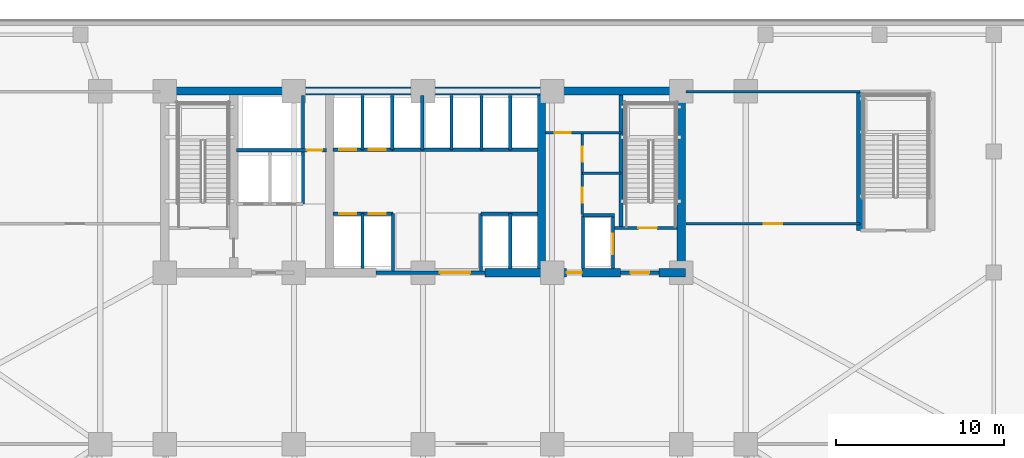
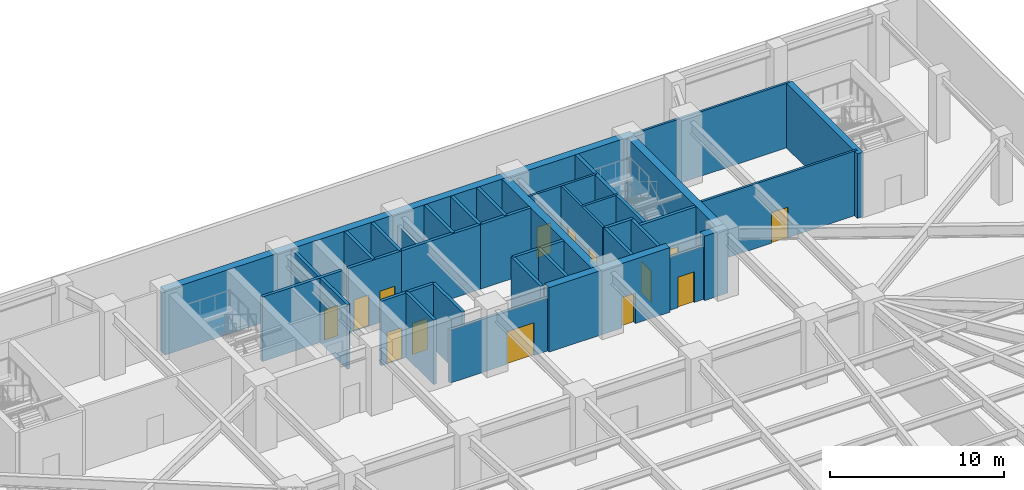
# One storey, part 13 of 19: 35 walls, 14 doors, 14 openings.
"""IFC4 building model written with IfcOpenShell, lengths in metres."""

from ifc_helpers import new_model, si_unit, direction, frame, frame_2d, origin, place, context, subcontext, project, spatial, rectangle, extrude, material, layer, layer_set, type_object, element, fill, save


model = new_model("IFC4")

# Units and contexts
model_context = context("Model", 3, precision=1e-05, world=origin(), true_north=direction((0.0, 1.0)))
body_context = subcontext(model_context, "Body", "Model", "MODEL_VIEW")
ifc_project = project(units=[si_unit("LENGTHUNIT", "METRE"), si_unit("AREAUNIT", "SQUARE_METRE"), si_unit("VOLUMEUNIT", "CUBIC_METRE"), si_unit("PLANEANGLEUNIT", "RADIAN"), si_unit("MASSUNIT", "GRAM", prefix="KILO")], contexts=[model_context])

# Site, building, storey
site_placement = place(None, origin())
site = spatial("IfcSite", under=ifc_project, at=site_placement, CompositionType="ELEMENT")
building_placement = place(site_placement, origin())
building = spatial("IfcBuilding", under=site, at=building_placement, Name="Yelkora Congress Tower", CompositionType="ELEMENT")
storey_placement = place(building_placement, frame((0.0, 0.0, 15.60009765625)))
storey = spatial("IfcBuildingStorey", under=building, at=storey_placement, Name="L03", CompositionType="ELEMENT", Elevation=15.60009765625)

# Walls
ifc_material_1 = material(Name="Concrete C50/60", Category="concrete")
ifc_layer_1 = layer(ifc_material_1, 0.219970703125)
ifc_layer_set_1 = layer_set([ifc_layer_1], Name="Concrete C50/60")
wall_type_1 = type_object("IfcWallType", Name="WALL-CORE-INT-220", PredefinedType="SHEAR", material=ifc_layer_set_1)
wall_1_placement = place(storey_placement, frame((50.179931640625, 38.050048828125, 0.0), z_axis=(0.0, 0.0, 1.0), x_axis=(0.0, 1.0, 0.0)))
element("IfcWall", 1, at=wall_1_placement, inside=storey, type_object=wall_type_1, Name="L03 ST02 West Stair Shear Wall", PredefinedType="SHEAR", context=body_context, shape_type="SweptSolid", body=[
    extrude(rectangle(XDim=7.89990234375, YDim=0.219970703125, at=frame_2d((3.949951171875, 0.0))), origin(), (0.0, 0.0, 1.0), 4.539794921875),
])
ifc_layer_2 = layer(ifc_material_1, 0.39990234375)
ifc_layer_set_2 = layer_set([ifc_layer_2], Name="Concrete C50/60")
wall_type_2 = type_object("IfcWallType", Name="WALL-CORE-INT-400", PredefinedType="SHEAR", material=ifc_layer_set_2)
wall_2_placement = place(storey_placement, frame((64.39990234375, 37.89990234375, 0.0), z_axis=(0.0, 0.0, 1.0), x_axis=(0.0, 1.0, 0.0)))
element("IfcWall", 2, at=wall_2_placement, inside=storey, type_object=wall_type_2, Name="L03 STP2 West Shear Wall", PredefinedType="SHEAR", context=body_context, shape_type="SweptSolid", body=[
    extrude(rectangle(XDim=8.25, YDim=0.39990234375, at=frame_2d((4.125, 0.0))), origin(), (0.0, 0.0, 1.0), 4.539794921875),
])
ifc_material_2 = material(Name="Concrete C60/75", Category="concrete")
ifc_layer_3 = layer(ifc_material_2, 0.5)
ifc_layer_set_3 = layer_set([ifc_layer_3], Name="Concrete C60/75")
wall_type_3 = type_object("IfcWallType", Name="WALL-CORE-INT-500", PredefinedType="SHEAR", material=ifc_layer_set_3)
wall_3_placement = place(storey_placement, frame((22.7900390625, 46.199951171875, 0.0), z_axis=(0.0, 0.0, 1.0), x_axis=(1.0, 0.0, 0.0)))
element("IfcWall", 3, at=wall_3_placement, inside=storey, type_object=wall_type_3, Name="L03 Rear Core North Shear Wall", PredefinedType="SHEAR", context=body_context, shape_type="SweptSolid", body=[
    extrude(rectangle(XDim=31.219970703125, YDim=0.5, at=frame_2d((15.60986328125, 0.0))), origin(), (0.0, 0.0, 1.0), 4.539794921875),
])

# Wall, opening, door
wall_4_placement = place(storey_placement, frame((42.10009765625, 35.39990234375, 0.0), z_axis=(0.0, 0.0, 1.0), x_axis=(1.0, 0.0, 0.0)))
wall_4 = element("IfcWall", 4, at=wall_4_placement, inside=storey, type_object=wall_type_3, Name="L03 Rear Core South-East Shear Wall A", PredefinedType="SHEAR", context=body_context, shape_type="SweptSolid", body=[
    extrude(rectangle(XDim=8.0498046875, YDim=0.5, at=frame_2d((4.02490234375, 0.0))), origin(), (0.0, 0.0, 1.0), 4.539794921875),
])
opening_1_placement = place(wall_4_placement, frame((4.85009765625, 0.0, 0.0)))
opening_1 = element("IfcOpeningElement", 5, at=opening_1_placement, cuts=wall_4, Name="Opening DR-090F6", PredefinedType="OPENING", context=body_context, shape_type="SweptSolid", body=[
    extrude(rectangle(XDim=0.89990234375, YDim=2.14990234375, at=frame_2d((0.449951171875, 1.074951171875))), frame((0.0, 0.260009765625, 0.0), z_axis=(0.0, -1.0, 0.0), x_axis=(1.0, 0.0, 0.0)), (0.0, 0.0, 1.0), 0.52001953125),
])
ifc_material_3 = material(Name="Painted steel riser fire door leaf", Category="steel")
door_type_1 = type_object("IfcDoorType", Name="DOOR-FD60-900", OperationType="NOTDEFINED", PredefinedType="DOOR", material=ifc_material_3)
door_1_placement = place(opening_1_placement, origin())
door_1 = element("IfcDoor", 6, at=door_1_placement, inside=storey, type_object=door_type_1, Name="L03 Core Washroom Lobby Door", OperationType="SINGLE_SWING_RIGHT", OverallHeight=2.14990234375, OverallWidth=0.89990234375, PredefinedType="DOOR", context=body_context, shape_type="SweptSolid", body=[
    extrude(rectangle(XDim=0.89990234375, YDim=2.14990234375, at=frame_2d((0.449951171875, 1.074951171875))), frame((0.0, 0.02490234375, 0.0), z_axis=(0.0, -1.0, 0.0), x_axis=(1.0, 0.0, 0.0)), (0.0, 0.0, 1.0), 0.050048828125),
])
fill(opening_1, door_1)

# Walls
wall_5_placement = place(storey_placement, frame((52.449951171875, 35.39990234375, 0.0), z_axis=(0.0, 0.0, 1.0), x_axis=(1.0, 0.0, 0.0)))
element("IfcWall", 7, at=wall_5_placement, inside=storey, type_object=wall_type_3, Name="L03 Rear Core South-East Shear Wall B", PredefinedType="SHEAR", context=body_context, shape_type="SweptSolid", body=[
    extrude(rectangle(XDim=1.56005859375, YDim=0.5, at=frame_2d((0.780029296875, 0.0))), origin(), (0.0, 0.0, 1.0), 4.539794921875),
])
for number, where, z_axis, x_axis, name in (
    (8, (45.449951171875, 35.64990234375, 0.0), (0.0, 0.0, 1.0), (0.0, 1.0, 0.0), "L03 Rear Core Cross Shear Wall C3"),
    (9, (53.760009765625, 35.64990234375, 0.0), (0.0, 0.0, 1.0), (0.0, 1.0, 0.0), "L03 Rear Core Cross Shear Wall E"),
):
    element("IfcWall", number, at=place(storey_placement, frame(where, z_axis=z_axis, x_axis=x_axis)), inside=storey, type_object=wall_type_3, Name=name, PredefinedType="SHEAR", context=body_context, shape_type="SweptSolid", body=[
        extrude(rectangle(XDim=10.300048828125, YDim=0.5, at=frame_2d((5.14990234375, 0.0))), origin(), (0.0, 0.0, 1.0), 4.539794921875),
    ])

# Wall, opening, door
ifc_material_4 = material(Name="Acoustic metal-stud gypsum partition", Category="gypsum")
ifc_layer_4 = layer(ifc_material_4, 0.14990234375)
ifc_layer_set_4 = layer_set([ifc_layer_4], Name="Acoustic metal-stud gypsum partition")
wall_type_4 = type_object("IfcWallType", Name="WALL-INT-150-NR", PredefinedType="PARTITIONING", material=ifc_layer_set_4)
wall_6_placement = place(storey_placement, frame((45.679931640625, 43.719970703125, 0.0), z_axis=(0.0, 0.0, 1.0), x_axis=(1.0, 0.0, 0.0)))
wall_6 = element("IfcWall", 10, at=wall_6_placement, inside=storey, type_object=wall_type_4, Name="L03 Partition Wall 28", PredefinedType="PARTITIONING", context=body_context, shape_type="SweptSolid", body=[
    extrude(rectangle(XDim=4.5, YDim=0.14990234375, at=frame_2d((2.25, 0.0))), origin(), (0.0, 0.0, 1.0), 4.539794921875),
])
opening_2_placement = place(wall_6_placement, frame((0.550048828125, 0.0, 0.0)))
opening_2 = element("IfcOpeningElement", 11, at=opening_2_placement, cuts=wall_6, Name="Opening DR-095N", PredefinedType="OPENING", context=body_context, shape_type="SweptSolid", body=[
    extrude(rectangle(XDim=0.949951171875, YDim=2.14990234375, at=frame_2d((0.47509765625, 1.074951171875))), frame((0.0, 0.0849609375, 0.0), z_axis=(0.0, -1.0, 0.0), x_axis=(1.0, 0.0, 0.0)), (0.0, 0.0, 1.0), 0.169921875),
])
ifc_material_5 = material(Name="Acoustic laminated timber office door", Category="wood")
door_type_2 = type_object("IfcDoorType", Name="DOOR-INT-950", OperationType="NOTDEFINED", PredefinedType="DOOR", material=ifc_material_5)
door_2_placement = place(opening_2_placement, origin())
door_2 = element("IfcDoor", 12, at=door_2_placement, inside=storey, type_object=door_type_2, Name="L03 Accessible WC Door", OperationType="SINGLE_SWING_RIGHT", OverallHeight=2.14990234375, OverallWidth=0.949951171875, PredefinedType="DOOR", context=body_context, shape_type="SweptSolid", body=[
    extrude(rectangle(XDim=0.949951171875, YDim=2.14990234375, at=frame_2d((0.47509765625, 1.074951171875))), frame((0.0, 0.02490234375, 0.0), z_axis=(0.0, -1.0, 0.0), x_axis=(1.0, 0.0, 0.0)), (0.0, 0.0, 1.0), 0.050048828125),
])
fill(opening_2, door_2)

# Wall
wall_7_placement = place(storey_placement, frame((47.8798828125, 41.320068359375, 0.0), z_axis=(0.0, 0.0, 1.0), x_axis=(1.0, 0.0, 0.0)))
element("IfcWall", 13, at=wall_7_placement, inside=storey, type_object=wall_type_4, Name="L03 Partition Wall 29", PredefinedType="PARTITIONING", context=body_context, shape_type="SweptSolid", body=[
    extrude(rectangle(XDim=2.300048828125, YDim=0.14990234375, at=frame_2d((1.14990234375, 0.0))), origin(), (0.0, 0.0, 1.0), 4.539794921875),
])

# Wall, openings, doors
wall_8_placement = place(storey_placement, frame((47.8798828125, 38.85009765625, 0.0), z_axis=(0.0, 0.0, 1.0), x_axis=(0.0, 1.0, 0.0)))
wall_8 = element("IfcWall", 14, at=wall_8_placement, inside=storey, type_object=wall_type_4, Name="L03 Partition Wall 30", PredefinedType="PARTITIONING", context=body_context, shape_type="SweptSolid", body=[
    extrude(rectangle(XDim=4.869873046875, YDim=0.14990234375, at=frame_2d((2.43505859375, 0.0))), origin(), (0.0, 0.0, 1.0), 4.539794921875),
])
opening_3_placement = place(wall_8_placement, frame((0.699951171875, 0.0, 0.0)))
opening_3 = element("IfcOpeningElement", 15, at=opening_3_placement, cuts=wall_8, Name="Opening DR-090N", PredefinedType="OPENING", context=body_context, shape_type="SweptSolid", body=[
    extrude(rectangle(XDim=0.89990234375, YDim=2.14990234375, at=frame_2d((0.449951171875, 1.074951171875))), frame((0.0, 0.0849609375, 0.0), z_axis=(0.0, -1.0, 0.0), x_axis=(1.0, 0.0, 0.0)), (0.0, 0.0, 1.0), 0.169921875),
])
opening_4_placement = place(wall_8_placement, frame((3.14990234375, 0.0, 0.0)))
opening_4 = element("IfcOpeningElement", 16, at=opening_4_placement, cuts=wall_8, Name="Opening DR-090N", PredefinedType="OPENING", context=body_context, shape_type="SweptSolid", body=[
    extrude(rectangle(XDim=0.89990234375, YDim=2.14990234375, at=frame_2d((0.449951171875, 1.074951171875))), frame((0.0, 0.0849609375, 0.0), z_axis=(0.0, -1.0, 0.0), x_axis=(1.0, 0.0, 0.0)), (0.0, 0.0, 1.0), 0.169921875),
])
ifc_material_6 = material(Name="Moisture-resistant laminate door leaf", Category="wood")
door_type_3 = type_object("IfcDoorType", Name="DOOR-INT-900", OperationType="NOTDEFINED", PredefinedType="DOOR", material=ifc_material_6)
door_3_placement = place(opening_3_placement, origin())
door_3 = element("IfcDoor", 17, at=door_3_placement, inside=storey, type_object=door_type_3, Name="L03 Male WC Door", OperationType="SINGLE_SWING_LEFT", OverallHeight=2.14990234375, OverallWidth=0.89990234375, PredefinedType="DOOR", context=body_context, shape_type="SweptSolid", body=[
    extrude(rectangle(XDim=0.89990234375, YDim=2.14990234375, at=frame_2d((0.449951171875, 1.074951171875))), frame((0.0, 0.02490234375, 0.0), z_axis=(0.0, -1.0, 0.0), x_axis=(1.0, 0.0, 0.0)), (0.0, 0.0, 1.0), 0.050048828125),
])
fill(opening_3, door_3)
door_4_placement = place(opening_4_placement, origin())
door_4 = element("IfcDoor", 18, at=door_4_placement, inside=storey, type_object=door_type_3, Name="L03 Female WC Door", OperationType="SINGLE_SWING_RIGHT", OverallHeight=2.14990234375, OverallWidth=0.89990234375, PredefinedType="DOOR", context=body_context, shape_type="SweptSolid", body=[
    extrude(rectangle(XDim=0.89990234375, YDim=2.14990234375, at=frame_2d((0.449951171875, 1.074951171875))), frame((0.0, 0.02490234375, 0.0), z_axis=(0.0, -1.0, 0.0), x_axis=(1.0, 0.0, 0.0)), (0.0, 0.0, 1.0), 0.050048828125),
])
fill(opening_4, door_4)

# Wall, opening, door
wall_9_placement = place(storey_placement, frame((54.050048828125, 38.300048828125, 0.0), z_axis=(0.0, 0.0, 1.0), x_axis=(1.0, 0.0, 0.0)))
wall_9 = element("IfcWall", 19, at=wall_9_placement, inside=storey, type_object=wall_type_4, Name="L03 Partition Wall 37", PredefinedType="PARTITIONING", context=body_context, shape_type="SweptSolid", body=[
    extrude(rectangle(XDim=10.349853515625, YDim=0.14990234375, at=frame_2d((5.1748046875, 0.0))), origin(), (0.0, 0.0, 1.0), 4.539794921875),
])
opening_5_placement = place(wall_9_placement, frame((4.625, 0.0, 0.0)))
opening_5 = element("IfcOpeningElement", 20, at=opening_5_placement, cuts=wall_9, Name="Opening DR-110N", PredefinedType="OPENING", context=body_context, shape_type="SweptSolid", body=[
    extrude(rectangle(XDim=1.10009765625, YDim=2.14990234375, at=frame_2d((0.550048828125, 1.074951171875))), frame((0.0, 0.0849609375, 0.0), z_axis=(0.0, -1.0, 0.0), x_axis=(1.0, 0.0, 0.0)), (0.0, 0.0, 1.0), 0.169921875),
])
ifc_material_7 = material(Name="Solid-core Anatolian oak veneer door", Category="wood")
door_type_4 = type_object("IfcDoorType", Name="DOOR-INT-1100", OperationType="NOTDEFINED", PredefinedType="DOOR", material=ifc_material_7)
door_5_placement = place(opening_5_placement, origin())
door_5 = element("IfcDoor", 21, at=door_5_placement, inside=storey, type_object=door_type_4, Name="L03 Interior Door 20", OperationType="SINGLE_SWING_RIGHT", OverallHeight=2.14990234375, OverallWidth=1.10009765625, PredefinedType="DOOR", context=body_context, shape_type="SweptSolid", body=[
    extrude(rectangle(XDim=1.10009765625, YDim=2.14990234375, at=frame_2d((0.550048828125, 1.074951171875))), frame((0.0, 0.02490234375, 0.0), z_axis=(0.0, -1.0, 0.0), x_axis=(1.0, 0.0, 0.0)), (0.0, 0.0, 1.0), 0.050048828125),
])
fill(opening_5, door_5)

# Walls
wall_10_placement = place(storey_placement, frame((54.050048828125, 46.14990234375, 0.0), z_axis=(0.0, 0.0, 1.0), x_axis=(1.0, 0.0, 0.0)))
element("IfcWall", 22, at=wall_10_placement, inside=storey, type_object=wall_type_4, Name="L03 Partition Wall 38", PredefinedType="PARTITIONING", context=body_context, shape_type="SweptSolid", body=[
    extrude(rectangle(XDim=10.349853515625, YDim=0.14990234375, at=frame_2d((5.1748046875, 0.0))), origin(), (0.0, 0.0, 1.0), 4.539794921875),
])
ifc_material_8 = material(Name="Autoclaved aerated concrete blockwork", Category="masonry")
ifc_layer_5 = layer(ifc_material_8, 0.199951171875)
ifc_layer_set_5 = layer_set([ifc_layer_5], Name="Autoclaved aerated concrete blockwork")
wall_type_5 = type_object("IfcWallType", Name="WALL-INT-200-R120", PredefinedType="PARTITIONING", material=ifc_layer_set_5)
wall_11_placement = place(storey_placement, frame((31.260009765625, 39.47998046875, 0.0), z_axis=(0.0, 0.0, 1.0), x_axis=(0.0, 1.0, 0.0)))
element("IfcWall", 23, at=wall_11_placement, inside=storey, type_object=wall_type_5, Name="L03 Partition Wall 5", PredefinedType="PARTITIONING", context=body_context, shape_type="SweptSolid", body=[
    extrude(rectangle(XDim=6.43994140625, YDim=0.199951171875, at=frame_2d((3.219970703125, 0.0))), origin(), (0.0, 0.0, 1.0), 4.539794921875),
])

# Wall, opening, door
wall_12_placement = place(storey_placement, frame((27.320068359375, 42.679931640625, 0.0), z_axis=(0.0, 0.0, 1.0), x_axis=(1.0, 0.0, 0.0)))
wall_12 = element("IfcWall", 24, at=wall_12_placement, inside=storey, type_object=wall_type_5, Name="L03 Smoke Riser South Wall", PredefinedType="PARTITIONING", context=body_context, shape_type="SweptSolid", body=[
    extrude(rectangle(XDim=5.329833984375, YDim=0.199951171875, at=frame_2d((2.6650390625, 0.0))), origin(), (0.0, 0.0, 1.0), 4.539794921875),
])
opening_6_placement = place(wall_12_placement, frame((4.179931640625, 0.0, 0.0)))
opening_6 = element("IfcOpeningElement", 25, at=opening_6_placement, cuts=wall_12, Name="Opening DR-090F6", PredefinedType="OPENING", context=body_context, shape_type="SweptSolid", body=[
    extrude(rectangle(XDim=0.89990234375, YDim=2.14990234375, at=frame_2d((0.449951171875, 1.074951171875))), frame((0.0, 0.10986328125, 0.0), z_axis=(0.0, -1.0, 0.0), x_axis=(1.0, 0.0, 0.0)), (0.0, 0.0, 1.0), 0.219970703125),
])
door_6_placement = place(opening_6_placement, origin())
door_6 = element("IfcDoor", 26, at=door_6_placement, inside=storey, type_object=door_type_1, Name="L03 Riser Access Door", OperationType="SINGLE_SWING_LEFT", OverallHeight=2.14990234375, OverallWidth=0.89990234375, PredefinedType="DOOR", context=body_context, shape_type="SweptSolid", body=[
    extrude(rectangle(XDim=0.89990234375, YDim=2.14990234375, at=frame_2d((0.449951171875, 1.074951171875))), frame((0.0, 0.02490234375, 0.0), z_axis=(0.0, -1.0, 0.0), x_axis=(1.0, 0.0, 0.0)), (0.0, 0.0, 1.0), 0.050048828125),
])
fill(opening_6, door_6)

wall_13_placement = place(storey_placement, frame((35.60009765625, 35.39990234375, 0.0), z_axis=(0.0, 0.0, 1.0), x_axis=(1.0, 0.0, 0.0)))
wall_13 = element("IfcWall", 27, at=wall_13_placement, inside=storey, type_object=wall_type_5, Name="L03 Main Lift Lobby South Portal Wall", PredefinedType="PARTITIONING", context=body_context, shape_type="SweptSolid", body=[
    extrude(rectangle(XDim=6.5, YDim=0.199951171875, at=frame_2d((3.25, 0.0))), origin(), (0.0, 0.0, 1.0), 3.720947265625),
])
opening_7_placement = place(wall_13_placement, frame((3.800048828125, 0.0, 0.0)))
opening_7 = element("IfcOpeningElement", 28, at=opening_7_placement, cuts=wall_13, Name="Opening DR-180D", PredefinedType="OPENING", context=body_context, shape_type="SweptSolid", body=[
    extrude(rectangle(XDim=1.800048828125, YDim=2.300048828125, at=frame_2d((0.89990234375, 1.14990234375))), frame((0.0, 0.10986328125, 0.0), z_axis=(0.0, -1.0, 0.0), x_axis=(1.0, 0.0, 0.0)), (0.0, 0.0, 1.0), 0.219970703125),
])
ifc_material_9 = material(Name="Acoustic double congress hall doors", Category="wood")
door_type_5 = type_object("IfcDoorType", Name="DOOR-DBL-1800", OperationType="DOUBLE_DOOR_SINGLE_SWING", PredefinedType="DOOR", material=ifc_material_9)
door_7_placement = place(opening_7_placement, origin())
door_7 = element("IfcDoor", 29, at=door_7_placement, inside=storey, type_object=door_type_5, Name="L03 Main Lift Lobby Portal Door", OperationType="DOUBLE_DOOR_SINGLE_SWING", OverallHeight=2.300048828125, OverallWidth=1.800048828125, PredefinedType="DOOR", context=body_context, shape_type="SweptSolid", body=[
    extrude(rectangle(XDim=1.800048828125, YDim=2.300048828125, at=frame_2d((0.89990234375, 1.14990234375))), frame((0.0, 0.02490234375, 0.0), z_axis=(0.0, -1.0, 0.0), x_axis=(1.0, 0.0, 0.0)), (0.0, 0.0, 1.0), 0.050048828125),
])
fill(opening_7, door_7)

# Walls
wall_14_placement = place(storey_placement, frame((36.60009765625, 42.699951171875, 0.0), z_axis=(0.0, 0.0, 1.0), x_axis=(1.0, 0.0, 0.0)))
element("IfcWall", 30, at=wall_14_placement, inside=storey, type_object=wall_type_5, Name="L03 Partition Wall 8", PredefinedType="PARTITIONING", context=body_context, shape_type="SweptSolid", body=[
    extrude(rectangle(XDim=5.25, YDim=0.199951171875, at=frame_2d((2.625, 0.0))), origin(), (0.0, 0.0, 1.0), 4.539794921875),
])
wall_15_placement = place(storey_placement, frame((38.35009765625, 42.699951171875, 0.0), z_axis=(0.0, 0.0, 1.0), x_axis=(0.0, 1.0, 0.0)))
element("IfcWall", 31, at=wall_15_placement, inside=storey, type_object=wall_type_5, Name="L03 Partition Wall 9", PredefinedType="PARTITIONING", context=body_context, shape_type="SweptSolid", body=[
    extrude(rectangle(XDim=3.219970703125, YDim=0.199951171875, at=frame_2d((1.60986328125, 0.0))), origin(), (0.0, 0.0, 1.0), 3.720947265625),
])
wall_16_placement = place(storey_placement, frame((40.10009765625, 42.699951171875, 0.0), z_axis=(0.0, 0.0, 1.0), x_axis=(0.0, 1.0, 0.0)))
element("IfcWall", 32, at=wall_16_placement, inside=storey, type_object=wall_type_5, Name="L03 Partition Wall 10", PredefinedType="PARTITIONING", context=body_context, shape_type="SweptSolid", body=[
    extrude(rectangle(XDim=3.219970703125, YDim=0.199951171875, at=frame_2d((1.60986328125, 0.0))), origin(), (0.0, 0.0, 1.0), 4.539794921875),
])

# Wall, openings, doors
wall_17_placement = place(storey_placement, frame((33.050048828125, 38.89990234375, 0.0), z_axis=(0.0, 0.0, 1.0), x_axis=(1.0, 0.0, 0.0)))
wall_17 = element("IfcWall", 33, at=wall_17_placement, inside=storey, type_object=wall_type_5, Name="L03 Partition Wall 11", PredefinedType="PARTITIONING", context=body_context, shape_type="SweptSolid", body=[
    extrude(rectangle(XDim=3.570068359375, YDim=0.199951171875, at=frame_2d((1.78515625, 0.0))), origin(), (0.0, 0.0, 1.0), 4.539794921875),
])
opening_8_placement = place(wall_17_placement, frame((0.375, 0.0, 0.0)))
opening_8 = element("IfcOpeningElement", 34, at=opening_8_placement, cuts=wall_17, Name="Opening LD-PS10", PredefinedType="OPENING", context=body_context, shape_type="SweptSolid", body=[
    extrude(rectangle(XDim=1.0, YDim=2.199951171875, at=frame_2d((0.5, 1.10009765625))), frame((0.0, 0.10986328125, 0.0), z_axis=(0.0, -1.0, 0.0), x_axis=(1.0, 0.0, 0.0)), (0.0, 0.0, 1.0), 0.219970703125),
])
opening_9_placement = place(wall_17_placement, frame((2.125, 0.0, 0.0)))
opening_9 = element("IfcOpeningElement", 35, at=opening_9_placement, cuts=wall_17, Name="Opening LD-PS10", PredefinedType="OPENING", context=body_context, shape_type="SweptSolid", body=[
    extrude(rectangle(XDim=1.0, YDim=2.199951171875, at=frame_2d((0.5, 1.10009765625))), frame((0.0, 0.10986328125, 0.0), z_axis=(0.0, -1.0, 0.0), x_axis=(1.0, 0.0, 0.0)), (0.0, 0.0, 1.0), 0.219970703125),
])
ifc_material_10 = material(Name="Champagne stainless steel landing door", Category="steel")
door_type_6 = type_object("IfcDoorType", Name="DOOR-LIFT-PAS-1000", OperationType="DOUBLE_DOOR_SLIDING", PredefinedType="DOOR", material=ifc_material_10)
door_8_placement = place(opening_8_placement, origin())
door_8 = element("IfcDoor", 36, at=door_8_placement, inside=storey, type_object=door_type_6, Name="Lift Landing Door LF-P1 L03", OperationType="DOUBLE_DOOR_SLIDING", OverallHeight=2.199951171875, OverallWidth=1.0, PredefinedType="DOOR", context=body_context, shape_type="SweptSolid", body=[
    extrude(rectangle(XDim=1.0, YDim=2.199951171875, at=frame_2d((0.5, 1.10009765625))), frame((0.0, 0.02490234375, 0.0), z_axis=(0.0, -1.0, 0.0), x_axis=(1.0, 0.0, 0.0)), (0.0, 0.0, 1.0), 0.050048828125),
])
fill(opening_8, door_8)
door_9_placement = place(opening_9_placement, origin())
door_9 = element("IfcDoor", 37, at=door_9_placement, inside=storey, type_object=door_type_6, Name="Lift Landing Door LF-P2 L03", OperationType="DOUBLE_DOOR_SLIDING", OverallHeight=2.199951171875, OverallWidth=1.0, PredefinedType="DOOR", context=body_context, shape_type="SweptSolid", body=[
    extrude(rectangle(XDim=1.0, YDim=2.199951171875, at=frame_2d((0.5, 1.10009765625))), frame((0.0, 0.02490234375, 0.0), z_axis=(0.0, -1.0, 0.0), x_axis=(1.0, 0.0, 0.0)), (0.0, 0.0, 1.0), 0.050048828125),
])
fill(opening_9, door_9)

wall_18_placement = place(storey_placement, frame((33.050048828125, 42.699951171875, 0.0), z_axis=(0.0, 0.0, 1.0), x_axis=(1.0, 0.0, 0.0)))
wall_18 = element("IfcWall", 38, at=wall_18_placement, inside=storey, type_object=wall_type_5, Name="L03 Partition Wall 12", PredefinedType="PARTITIONING", context=body_context, shape_type="SweptSolid", body=[
    extrude(rectangle(XDim=3.570068359375, YDim=0.199951171875, at=frame_2d((1.78515625, 0.0))), origin(), (0.0, 0.0, 1.0), 4.539794921875),
])
opening_10_placement = place(wall_18_placement, frame((0.375, 0.0, 0.0)))
opening_10 = element("IfcOpeningElement", 39, at=opening_10_placement, cuts=wall_18, Name="Opening LD-PS10", PredefinedType="OPENING", context=body_context, shape_type="SweptSolid", body=[
    extrude(rectangle(XDim=1.0, YDim=2.199951171875, at=frame_2d((0.5, 1.10009765625))), frame((0.0, 0.10986328125, 0.0), z_axis=(0.0, -1.0, 0.0), x_axis=(1.0, 0.0, 0.0)), (0.0, 0.0, 1.0), 0.219970703125),
])
opening_11_placement = place(wall_18_placement, frame((2.125, 0.0, 0.0)))
opening_11 = element("IfcOpeningElement", 40, at=opening_11_placement, cuts=wall_18, Name="Opening LD-PS10", PredefinedType="OPENING", context=body_context, shape_type="SweptSolid", body=[
    extrude(rectangle(XDim=1.0, YDim=2.199951171875, at=frame_2d((0.5, 1.10009765625))), frame((0.0, 0.10986328125, 0.0), z_axis=(0.0, -1.0, 0.0), x_axis=(1.0, 0.0, 0.0)), (0.0, 0.0, 1.0), 0.219970703125),
])
door_10_placement = place(opening_10_placement, origin())
door_10 = element("IfcDoor", 41, at=door_10_placement, inside=storey, type_object=door_type_6, Name="Lift Landing Door LF-P3 L03", OperationType="DOUBLE_DOOR_SLIDING", OverallHeight=2.199951171875, OverallWidth=1.0, PredefinedType="DOOR", context=body_context, shape_type="SweptSolid", body=[
    extrude(rectangle(XDim=1.0, YDim=2.199951171875, at=frame_2d((0.5, 1.10009765625))), frame((0.0, 0.02490234375, 0.0), z_axis=(0.0, -1.0, 0.0), x_axis=(1.0, 0.0, 0.0)), (0.0, 0.0, 1.0), 0.050048828125),
])
fill(opening_10, door_10)
door_11_placement = place(opening_11_placement, origin())
door_11 = element("IfcDoor", 42, at=door_11_placement, inside=storey, type_object=door_type_6, Name="Lift Landing Door LF-P4 L03", OperationType="DOUBLE_DOOR_SLIDING", OverallHeight=2.199951171875, OverallWidth=1.0, PredefinedType="DOOR", context=body_context, shape_type="SweptSolid", body=[
    extrude(rectangle(XDim=1.0, YDim=2.199951171875, at=frame_2d((0.5, 1.10009765625))), frame((0.0, 0.02490234375, 0.0), z_axis=(0.0, -1.0, 0.0), x_axis=(1.0, 0.0, 0.0)), (0.0, 0.0, 1.0), 0.050048828125),
])
fill(opening_11, door_11)

# Walls
wall_19_placement = place(storey_placement, frame((34.800048828125, 35.64990234375, 0.0), z_axis=(0.0, 0.0, 1.0), x_axis=(0.0, 1.0, 0.0)))
element("IfcWall", 43, at=wall_19_placement, inside=storey, type_object=wall_type_5, Name="L03 Partition Wall 13", PredefinedType="PARTITIONING", context=body_context, shape_type="SweptSolid", body=[
    extrude(rectangle(XDim=3.25, YDim=0.199951171875, at=frame_2d((1.625, 0.0))), origin(), (0.0, 0.0, 1.0), 4.539794921875),
])
wall_20_placement = place(storey_placement, frame((34.800048828125, 42.699951171875, 0.0), z_axis=(0.0, 0.0, 1.0), x_axis=(0.0, 1.0, 0.0)))
element("IfcWall", 44, at=wall_20_placement, inside=storey, type_object=wall_type_5, Name="L03 Partition Wall 14", PredefinedType="PARTITIONING", context=body_context, shape_type="SweptSolid", body=[
    extrude(rectangle(XDim=3.219970703125, YDim=0.199951171875, at=frame_2d((1.60986328125, 0.0))), origin(), (0.0, 0.0, 1.0), 4.539794921875),
])
wall_21_placement = place(storey_placement, frame((36.6201171875, 35.5, 0.0), z_axis=(0.0, 0.0, 1.0), x_axis=(0.0, 1.0, 0.0)))
element("IfcWall", 45, at=wall_21_placement, inside=storey, type_object=wall_type_5, Name="L03 Partition Wall 15", PredefinedType="PARTITIONING", context=body_context, shape_type="SweptSolid", body=[
    extrude(rectangle(XDim=3.39990234375, YDim=0.199951171875, at=frame_2d((1.699951171875, 0.0))), origin(), (0.0, 0.0, 1.0), 4.539794921875),
])
wall_22_placement = place(storey_placement, frame((36.580078125, 42.699951171875, 0.0), z_axis=(0.0, 0.0, 1.0), x_axis=(0.0, 1.0, 0.0)))
element("IfcWall", 46, at=wall_22_placement, inside=storey, type_object=wall_type_5, Name="L03 Partition Wall 16", PredefinedType="PARTITIONING", context=body_context, shape_type="SweptSolid", body=[
    extrude(rectangle(XDim=3.219970703125, YDim=0.199951171875, at=frame_2d((1.60986328125, 0.0))), origin(), (0.0, 0.0, 1.0), 4.539794921875),
])
for number, where, z_axis, x_axis, name in (
    (47, (41.85009765625, 38.89990234375, 0.0), (0.0, 0.0, 1.0), (1.0, 0.0, 0.0), "L03 Partition Wall 17"),
    (48, (41.85009765625, 42.699951171875, 0.0), (0.0, 0.0, 1.0), (1.0, 0.0, 0.0), "L03 Partition Wall 18"),
):
    element("IfcWall", number, at=place(storey_placement, frame(where, z_axis=z_axis, x_axis=x_axis)), inside=storey, type_object=wall_type_5, Name=name, PredefinedType="PARTITIONING", context=body_context, shape_type="SweptSolid", body=[
        extrude(rectangle(XDim=3.369873046875, YDim=0.199951171875, at=frame_2d((1.68505859375, 0.0))), origin(), (0.0, 0.0, 1.0), 4.539794921875),
    ])
wall_23_placement = place(storey_placement, frame((43.60009765625, 35.64990234375, 0.0), z_axis=(0.0, 0.0, 1.0), x_axis=(0.0, 1.0, 0.0)))
element("IfcWall", 49, at=wall_23_placement, inside=storey, type_object=wall_type_5, Name="L03 Partition Wall 19", PredefinedType="PARTITIONING", context=body_context, shape_type="SweptSolid", body=[
    extrude(rectangle(XDim=3.25, YDim=0.199951171875, at=frame_2d((1.625, 0.0))), origin(), (0.0, 0.0, 1.0), 4.539794921875),
])
wall_24_placement = place(storey_placement, frame((43.60009765625, 42.699951171875, 0.0), z_axis=(0.0, 0.0, 1.0), x_axis=(0.0, 1.0, 0.0)))
element("IfcWall", 50, at=wall_24_placement, inside=storey, type_object=wall_type_5, Name="L03 Partition Wall 20", PredefinedType="PARTITIONING", context=body_context, shape_type="SweptSolid", body=[
    extrude(rectangle(XDim=3.219970703125, YDim=0.199951171875, at=frame_2d((1.60986328125, 0.0))), origin(), (0.0, 0.0, 1.0), 4.539794921875),
])
wall_25_placement = place(storey_placement, frame((41.85009765625, 35.5, 0.0), z_axis=(0.0, 0.0, 1.0), x_axis=(0.0, 1.0, 0.0)))
element("IfcWall", 51, at=wall_25_placement, inside=storey, type_object=wall_type_5, Name="L03 Partition Wall 21", PredefinedType="PARTITIONING", context=body_context, shape_type="SweptSolid", body=[
    extrude(rectangle(XDim=3.39990234375, YDim=0.199951171875, at=frame_2d((1.699951171875, 0.0))), origin(), (0.0, 0.0, 1.0), 4.539794921875),
])
wall_26_placement = place(storey_placement, frame((41.8798828125, 42.699951171875, 0.0), z_axis=(0.0, 0.0, 1.0), x_axis=(0.0, 1.0, 0.0)))
element("IfcWall", 52, at=wall_26_placement, inside=storey, type_object=wall_type_5, Name="L03 Partition Wall 22", PredefinedType="PARTITIONING", context=body_context, shape_type="SweptSolid", body=[
    extrude(rectangle(XDim=3.219970703125, YDim=0.199951171875, at=frame_2d((1.60986328125, 0.0))), origin(), (0.0, 0.0, 1.0), 4.539794921875),
])

# Wall, opening, door
wall_27_placement = place(storey_placement, frame((49.780029296875, 38.050048828125, 0.0), z_axis=(0.0, 0.0, 1.0), x_axis=(1.0, 0.0, 0.0)))
wall_27 = element("IfcWall", 53, at=wall_27_placement, inside=storey, type_object=wall_type_5, Name="L03 Stair ST-02 Enclosure Wall", PredefinedType="PARTITIONING", context=body_context, shape_type="SweptSolid", body=[
    extrude(rectangle(XDim=3.719970703125, YDim=0.199951171875, at=frame_2d((1.85986328125, 0.0))), origin(), (0.0, 0.0, 1.0), 4.539794921875),
])
opening_12_placement = place(wall_27_placement, frame((1.436279296875, 0.0, 0.0)))
opening_12 = element("IfcOpeningElement", 54, at=opening_12_placement, cuts=wall_27, Name="Opening DR-110F9", PredefinedType="OPENING", context=body_context, shape_type="SweptSolid", body=[
    extrude(rectangle(XDim=1.10009765625, YDim=2.14990234375, at=frame_2d((0.550048828125, 1.074951171875))), frame((0.0, 0.10986328125, 0.0), z_axis=(0.0, -1.0, 0.0), x_axis=(1.0, 0.0, 0.0)), (0.0, 0.0, 1.0), 0.219970703125),
])
ifc_material_11 = material(Name="Galvanised steel fire door leaf", Category="steel")
door_type_7 = type_object("IfcDoorType", Name="DOOR-FD90-1100", OperationType="NOTDEFINED", PredefinedType="DOOR", material=ifc_material_11)
door_12_placement = place(opening_12_placement, origin())
door_12 = element("IfcDoor", 55, at=door_12_placement, inside=storey, type_object=door_type_7, Name="L03 Stair ST-02 Entry Door", OperationType="SINGLE_SWING_LEFT", OverallHeight=2.14990234375, OverallWidth=1.10009765625, PredefinedType="DOOR", context=body_context, shape_type="SweptSolid", body=[
    extrude(rectangle(XDim=1.10009765625, YDim=2.14990234375, at=frame_2d((0.550048828125, 1.074951171875))), frame((0.0, 0.02490234375, 0.0), z_axis=(0.0, -1.0, 0.0), x_axis=(1.0, 0.0, 0.0)), (0.0, 0.0, 1.0), 0.050048828125),
])
fill(opening_12, door_12)

wall_28_placement = place(storey_placement, frame((50.14990234375, 35.39990234375, 0.0), z_axis=(0.0, 0.0, 1.0), x_axis=(1.0, 0.0, 0.0)))
wall_28 = element("IfcWall", 56, at=wall_28_placement, inside=storey, type_object=wall_type_5, Name="L03 Partition Wall 24", PredefinedType="PARTITIONING", context=body_context, shape_type="SweptSolid", body=[
    extrude(rectangle(XDim=2.300048828125, YDim=0.199951171875, at=frame_2d((1.14990234375, 0.0))), origin(), (0.0, 0.0, 1.0), 3.720947265625),
])
opening_13_placement = place(wall_28_placement, frame((0.60009765625, 0.0, 0.0)))
opening_13 = element("IfcOpeningElement", 57, at=opening_13_placement, cuts=wall_28, Name="Opening DR-110F9", PredefinedType="OPENING", context=body_context, shape_type="SweptSolid", body=[
    extrude(rectangle(XDim=1.10009765625, YDim=2.14990234375, at=frame_2d((0.550048828125, 1.074951171875))), frame((0.0, 0.10986328125, 0.0), z_axis=(0.0, -1.0, 0.0), x_axis=(1.0, 0.0, 0.0)), (0.0, 0.0, 1.0), 0.219970703125),
])
door_13_placement = place(opening_13_placement, origin())
door_13 = element("IfcDoor", 58, at=door_13_placement, inside=storey, type_object=door_type_7, Name="L03 East Stair Lobby Door", OperationType="SINGLE_SWING_RIGHT", OverallHeight=2.14990234375, OverallWidth=1.10009765625, PredefinedType="DOOR", context=body_context, shape_type="SweptSolid", body=[
    extrude(rectangle(XDim=1.10009765625, YDim=2.14990234375, at=frame_2d((0.550048828125, 1.074951171875))), frame((0.0, 0.02490234375, 0.0), z_axis=(0.0, -1.0, 0.0), x_axis=(1.0, 0.0, 0.0)), (0.0, 0.0, 1.0), 0.050048828125),
])
fill(opening_13, door_13)

wall_29_placement = place(storey_placement, frame((49.699951171875, 35.64990234375, 0.0), z_axis=(0.0, 0.0, 1.0), x_axis=(0.0, 1.0, 0.0)))
wall_29 = element("IfcWall", 59, at=wall_29_placement, inside=storey, type_object=wall_type_5, Name="L03 Partition Wall 25", PredefinedType="PARTITIONING", context=body_context, shape_type="SweptSolid", body=[
    extrude(rectangle(XDim=3.150146484375, YDim=0.199951171875, at=frame_2d((1.5751953125, 0.0))), origin(), (0.0, 0.0, 1.0), 4.539794921875),
])
opening_14_placement = place(wall_29_placement, frame((0.85009765625, 0.0, 0.0)))
opening_14 = element("IfcOpeningElement", 60, at=opening_14_placement, cuts=wall_29, Name="Opening LD-SV12", PredefinedType="OPENING", context=body_context, shape_type="SweptSolid", body=[
    extrude(rectangle(XDim=1.199951171875, YDim=2.199951171875, at=frame_2d((0.60009765625, 1.10009765625))), frame((0.0, 0.10986328125, 0.0), z_axis=(0.0, -1.0, 0.0), x_axis=(1.0, 0.0, 0.0)), (0.0, 0.0, 1.0), 0.219970703125),
])
ifc_material_12 = material(Name="Heavy-duty stainless steel landing door", Category="steel")
door_type_8 = type_object("IfcDoorType", Name="DOOR-LIFT-SRV-1200", OperationType="DOUBLE_DOOR_SLIDING", PredefinedType="DOOR", material=ifc_material_12)
door_14_placement = place(opening_14_placement, origin())
door_14 = element("IfcDoor", 61, at=door_14_placement, inside=storey, type_object=door_type_8, Name="Service Lift Landing Door LF-SV1 L03", OperationType="DOUBLE_DOOR_SLIDING", OverallHeight=2.199951171875, OverallWidth=1.199951171875, PredefinedType="DOOR", context=body_context, shape_type="SweptSolid", body=[
    extrude(rectangle(XDim=1.199951171875, YDim=2.199951171875, at=frame_2d((0.60009765625, 1.10009765625))), frame((0.0, 0.02490234375, 0.0), z_axis=(0.0, -1.0, 0.0), x_axis=(1.0, 0.0, 0.0)), (0.0, 0.0, 1.0), 0.050048828125),
])
fill(opening_14, door_14)

# Walls
wall_30_placement = place(storey_placement, frame((47.919921875, 35.64990234375, 0.0), z_axis=(0.0, 0.0, 1.0), x_axis=(0.0, 1.0, 0.0)))
element("IfcWall", 62, at=wall_30_placement, inside=storey, type_object=wall_type_5, Name="L03 Partition Wall 26", PredefinedType="PARTITIONING", context=body_context, shape_type="SweptSolid", body=[
    extrude(rectangle(XDim=3.150146484375, YDim=0.199951171875, at=frame_2d((1.5751953125, 0.0))), origin(), (0.0, 0.0, 1.0), 4.539794921875),
])
wall_31_placement = place(storey_placement, frame((47.919921875, 38.800048828125, 0.0), z_axis=(0.0, 0.0, 1.0), x_axis=(1.0, 0.0, 0.0)))
element("IfcWall", 63, at=wall_31_placement, inside=storey, type_object=wall_type_5, Name="L03 Partition Wall 27", PredefinedType="PARTITIONING", context=body_context, shape_type="SweptSolid", body=[
    extrude(rectangle(XDim=1.860107421875, YDim=0.199951171875, at=frame_2d((0.93017578125, 0.0))), origin(), (0.0, 0.0, 1.0), 4.539794921875),
])

save(model, "model.ifc")
